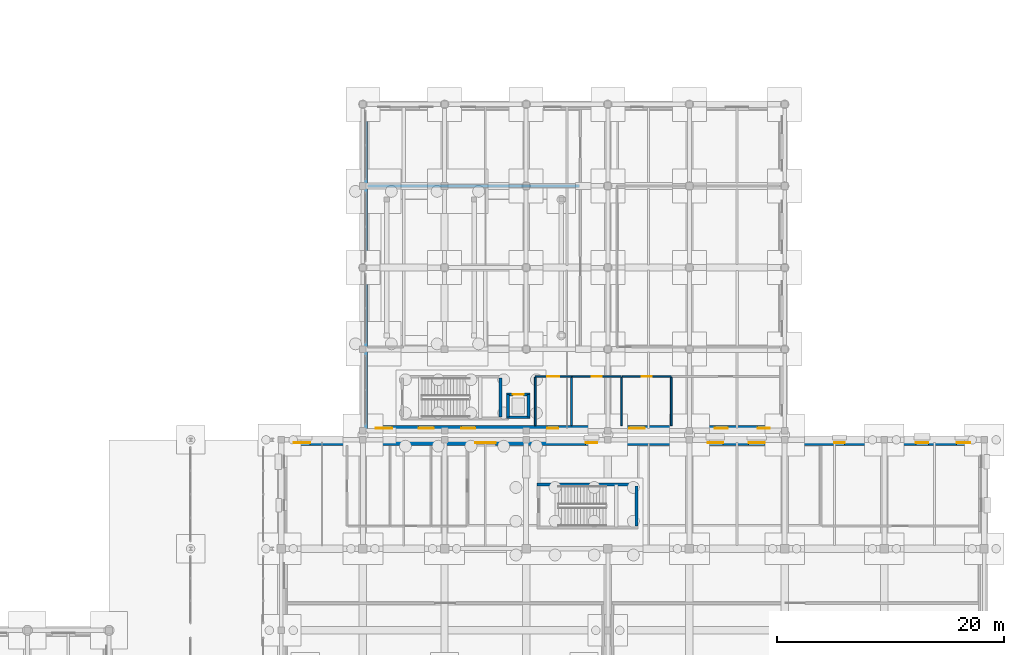
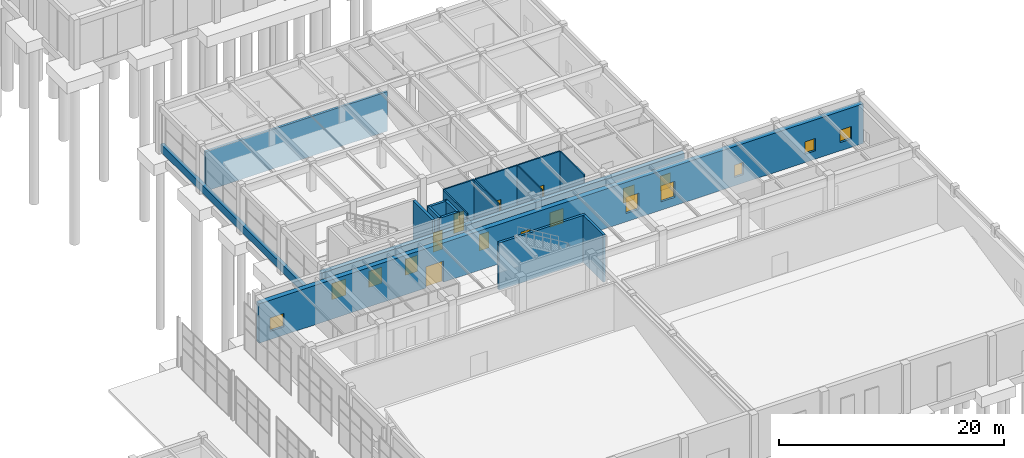
# One storey, part 75 of 91: 18 walls, 14 windows, 5 doors, 19 openings.
"""IFC4 building model written with IfcOpenShell, lengths in metres."""

from ifc_helpers import new_model, si_unit, direction, frame, frame_2d, origin, place, context, subcontext, project, spatial, rectangle, extrude, material, layer, layer_set, type_object, element, fill, save


model = new_model("IFC4")

# Units and contexts
model_context = context("Model", 3, precision=1e-05, world=origin(), true_north=direction((0.0, 1.0)))
body_context = subcontext(model_context, "Body", "Model", "MODEL_VIEW")
ifc_project = project(units=[si_unit("LENGTHUNIT", "METRE"), si_unit("AREAUNIT", "SQUARE_METRE"), si_unit("VOLUMEUNIT", "CUBIC_METRE"), si_unit("PLANEANGLEUNIT", "RADIAN"), si_unit("MASSUNIT", "GRAM", prefix="KILO")], contexts=[model_context])

# Site, building, storey
site_placement = place(None, origin())
site = spatial("IfcSite", under=ifc_project, at=site_placement, CompositionType="ELEMENT")
building_placement = place(site_placement, origin())
building = spatial("IfcBuilding", under=site, at=building_placement, Name="Bramveld Media Centre", CompositionType="ELEMENT")
storey_placement = place(building_placement, origin())
storey = spatial("IfcBuildingStorey", under=building, at=storey_placement, Name="L00", CompositionType="ELEMENT", Elevation=0.0)

# Walls
ifc_material_1 = material(Name="Concrete C40/50 stair & lift core wall", Category="concrete")
ifc_layer_1 = layer(ifc_material_1, 0.25)
ifc_layer_set_1 = layer_set([ifc_layer_1], Name="Concrete C40/50 stair & lift core wall")
wall_type_1 = type_object("IfcWallType", Name="CWALL-SHEAR-250", PredefinedType="SHEAR", material=ifc_layer_set_1)
wall_1_placement = place(storey_placement, frame((155.449951171875, 34.47509765625, 0.0), z_axis=(0.0, 0.0, 1.0), x_axis=(-1.0, 0.0, 0.0)))
element("IfcWall", 1, at=wall_1_placement, inside=storey, type_object=wall_type_1, Name="ST-03 L00 stair core shear wall N", PredefinedType="SHEAR", context=body_context, shape_type="SweptSolid", body=[
    extrude(rectangle(XDim=8.89990234375, YDim=0.25, at=frame_2d((4.449951171875, 0.0))), origin(), (0.0, 0.0, 1.0), 5.1201171875),
])
wall_2_placement = place(storey_placement, frame((155.324951171875, 30.800048828125, 0.0), z_axis=(0.0, 0.0, 1.0), x_axis=(0.0, 1.0, 0.0)))
element("IfcWall", 2, at=wall_2_placement, inside=storey, type_object=wall_type_1, Name="ST-03 L00 stair core shear wall E", PredefinedType="SHEAR", context=body_context, shape_type="SweptSolid", body=[
    extrude(rectangle(XDim=3.550048828125, YDim=0.25, at=frame_2d((1.77490234375, 0.0))), origin(), (0.0, 0.0, 1.0), 5.1201171875),
])
wall_3_placement = place(storey_placement, frame((143.324951171875, 40.39990234375, 0.0), z_axis=(0.0, 0.0, 1.0), x_axis=(0.0, 1.0, 0.0)))
element("IfcWall", 3, at=wall_3_placement, inside=storey, type_object=wall_type_1, Name="ST-08 L00 stair core shear wall E", PredefinedType="SHEAR", context=body_context, shape_type="SweptSolid", body=[
    extrude(rectangle(XDim=3.4501953125, YDim=0.25, at=frame_2d((1.72509765625, 0.0))), origin(), (0.0, 0.0, 1.0), 5.159912109375),
])
wall_4_placement = place(storey_placement, frame((143.875, 40.39990234375, 0.0), z_axis=(0.0, 0.0, 1.0), x_axis=(1.0, 0.0, 0.0)))
element("IfcWall", 4, at=wall_4_placement, inside=storey, type_object=wall_type_1, Name="PL-06 L00 lift shaft wall S", PredefinedType="SHEAR", context=body_context, shape_type="SweptSolid", body=[
    extrude(rectangle(XDim=2.050048828125, YDim=0.25, at=frame_2d((1.02490234375, 0.0))), origin(), (0.0, 0.0, 1.0), 5.159912109375),
])

# Wall, opening, door
wall_5_placement = place(storey_placement, frame((145.925048828125, 42.39990234375, 0.0), z_axis=(0.0, 0.0, 1.0), x_axis=(-1.0, 0.0, 0.0)))
wall_5 = element("IfcWall", 5, at=wall_5_placement, inside=storey, type_object=wall_type_1, Name="PL-06 L00 lift shaft wall N", PredefinedType="SHEAR", context=body_context, shape_type="SweptSolid", body=[
    extrude(rectangle(XDim=2.050048828125, YDim=0.25, at=frame_2d((1.02490234375, 0.0))), origin(), (0.0, 0.0, 1.0), 5.159912109375),
])
opening_1_placement = place(wall_5_placement, frame((0.550048828125, 0.0, 0.0)))
opening_1 = element("IfcOpeningElement", 6, at=opening_1_placement, cuts=wall_5, Name="Opening LD-03-06-L00", PredefinedType="OPENING", context=body_context, shape_type="SweptSolid", body=[
    extrude(rectangle(XDim=0.949951171875, YDim=2.10009765625, at=frame_2d((0.47509765625, 1.050048828125))), frame((0.0, 0.136962890625, 0.0), z_axis=(0.0, -1.0, 0.0), x_axis=(1.0, 0.0, 0.0)), (0.0, 0.0, 1.0), 0.27392578125),
])
ifc_material_2 = material(Name="Brushed stainless steel automatic fire-rated sliding lift landing door", Category="steel")
door_type_1 = type_object("IfcDoorType", Name="LD-TYPE-03", OperationType="SLIDING_TO_LEFT", PredefinedType="DOOR", material=ifc_material_2)
door_1_placement = place(opening_1_placement, origin())
door_1 = element("IfcDoor", 7, at=door_1_placement, inside=storey, type_object=door_type_1, Name="PL-06 L00 sliding lift landing door", OperationType="SLIDING_TO_LEFT", OverallHeight=2.10009765625, OverallWidth=0.949951171875, PredefinedType="DOOR", context=body_context, shape_type="SweptSolid", body=[
    extrude(rectangle(XDim=0.949951171875, YDim=2.10009765625, at=frame_2d((0.47509765625, 1.050048828125))), frame((0.0, 0.02490234375, 0.0), z_axis=(0.0, -1.0, 0.0), x_axis=(1.0, 0.0, 0.0)), (0.0, 0.0, 1.0), 0.050048828125),
])
fill(opening_1, door_1)

# Walls
for number, where, z_axis, x_axis, name in (
    (8, (144.0, 42.39990234375, 0.0), (0.0, 0.0, 1.0), (0.0, -1.0, 0.0), "PL-06 L00 lift shaft wall W"),
    (9, (145.800048828125, 40.39990234375, 0.0), (0.0, 0.0, 1.0), (0.0, 1.0, 0.0), "PL-06 L00 lift shaft wall E"),
):
    element("IfcWall", number, at=place(storey_placement, frame(where, z_axis=z_axis, x_axis=x_axis)), inside=storey, type_object=wall_type_1, Name=name, PredefinedType="SHEAR", context=body_context, shape_type="SweptSolid", body=[
        extrude(rectangle(XDim=2.0, YDim=0.25, at=frame_2d((1.0, 0.0))), origin(), (0.0, 0.0, 1.0), 5.159912109375),
    ])

# Wall, openings, door, windows
ifc_material_3 = material(Name="Double-leaf Concrete C40/50 cinema acoustic shell wall with brick outer leaf", Category="masonry")
ifc_layer_2 = layer(ifc_material_3, 0.5)
ifc_layer_set_2 = layer_set([ifc_layer_2], Name="Double-leaf Concrete C40/50 cinema acoustic shell wall with brick outer leaf")
wall_type_2 = type_object("IfcWallType", Name="EW-ACOU-500", PredefinedType="SOLIDWALL", material=ifc_layer_set_2)
wall_6_placement = place(storey_placement, frame((124.0, 38.14990234375, 0.0), z_axis=(0.0, 0.0, 1.0), x_axis=(1.0, 0.0, 0.0)))
wall_6 = element("IfcWall", 10, at=wall_6_placement, inside=storey, type_object=wall_type_2, Name="V1 L00 N facing brick exterior wall", PredefinedType="SOLIDWALL", context=body_context, shape_type="SweptSolid", body=[
    extrude(rectangle(XDim=62.0, YDim=0.5, at=frame_2d((31.0, 0.0))), origin(), (0.0, 0.0, 1.0), 4.27490234375),
])
opening_2_placement = place(wall_6_placement, frame((17.10009765625, 0.0, 0.0)))
opening_2 = element("IfcOpeningElement", 11, at=opening_2_placement, cuts=wall_6, Name="Opening ED-17", PredefinedType="OPENING", context=body_context, shape_type="SweptSolid", body=[
    extrude(rectangle(XDim=1.800048828125, YDim=2.300048828125, at=frame_2d((0.89990234375, 1.14990234375))), frame((0.0, 0.261962890625, 0.0), z_axis=(0.0, -1.0, 0.0), x_axis=(1.0, 0.0, 0.0)), (0.0, 0.0, 1.0), 0.52392578125),
])
opening_3_placement = place(wall_6_placement, frame((1.098388671875, 0.0, 0.89990234375)))
opening_3 = element("IfcOpeningElement", 12, at=opening_3_placement, cuts=wall_6, Name="Opening W-12", PredefinedType="OPENING", context=body_context, shape_type="SweptSolid", body=[
    extrude(rectangle(XDim=1.449951171875, YDim=1.449951171875, at=frame_2d((0.72509765625, 0.72509765625))), frame((0.0, 0.261962890625, 0.0), z_axis=(0.0, -1.0, 0.0), x_axis=(1.0, 0.0, 0.0)), (0.0, 0.0, 1.0), 0.52392578125),
])
opening_4_placement = place(wall_6_placement, frame((26.852783203125, 0.0, 0.89990234375)))
opening_4 = element("IfcOpeningElement", 13, at=opening_4_placement, cuts=wall_6, Name="Opening W-19", PredefinedType="OPENING", context=body_context, shape_type="SweptSolid", body=[
    extrude(rectangle(XDim=1.0, YDim=1.75, at=frame_2d((0.5, 0.875))), frame((0.0, 0.261962890625, 0.0), z_axis=(0.0, -1.0, 0.0), x_axis=(1.0, 0.0, 0.0)), (0.0, 0.0, 1.0), 0.52392578125),
])
opening_5_placement = place(wall_6_placement, frame((37.6240234375, 0.0, 0.89990234375)))
opening_5 = element("IfcOpeningElement", 14, at=opening_5_placement, cuts=wall_6, Name="Opening W-22", PredefinedType="OPENING", context=body_context, shape_type="SweptSolid", body=[
    extrude(rectangle(XDim=1.340087890625, YDim=1.75, at=frame_2d((0.669921875, 0.875))), frame((0.0, 0.261962890625, 0.0), z_axis=(0.0, -1.0, 0.0), x_axis=(1.0, 0.0, 0.0)), (0.0, 0.0, 1.0), 0.52392578125),
])
opening_6_placement = place(wall_6_placement, frame((41.22119140625, 0.0, 0.89990234375)))
opening_6 = element("IfcOpeningElement", 15, at=opening_6_placement, cuts=wall_6, Name="Opening W-23", PredefinedType="OPENING", context=body_context, shape_type="SweptSolid", body=[
    extrude(rectangle(XDim=1.43994140625, YDim=1.75, at=frame_2d((0.719970703125, 0.875))), frame((0.0, 0.261962890625, 0.0), z_axis=(0.0, -1.0, 0.0), x_axis=(1.0, 0.0, 0.0)), (0.0, 0.0, 1.0), 0.52392578125),
])
opening_7_placement = place(wall_6_placement, frame((48.785400390625, 0.0, 0.89990234375)))
opening_7 = element("IfcOpeningElement", 16, at=opening_7_placement, cuts=wall_6, Name="Opening W-01", PredefinedType="OPENING", context=body_context, shape_type="SweptSolid", body=[
    extrude(rectangle(XDim=0.89990234375, YDim=1.35009765625, at=frame_2d((0.449951171875, 0.675048828125))), frame((0.0, 0.261962890625, 0.0), z_axis=(0.0, -1.0, 0.0), x_axis=(1.0, 0.0, 0.0)), (0.0, 0.0, 1.0), 0.52392578125),
])
opening_8_placement = place(wall_6_placement, frame((55.9794921875, 0.0, 0.89990234375)))
opening_8 = element("IfcOpeningElement", 17, at=opening_8_placement, cuts=wall_6, Name="Opening W-03", PredefinedType="OPENING", context=body_context, shape_type="SweptSolid", body=[
    extrude(rectangle(XDim=1.10009765625, YDim=1.35009765625, at=frame_2d((0.550048828125, 0.675048828125))), frame((0.0, 0.261962890625, 0.0), z_axis=(0.0, -1.0, 0.0), x_axis=(1.0, 0.0, 0.0)), (0.0, 0.0, 1.0), 0.52392578125),
])
opening_9_placement = place(wall_6_placement, frame((59.576416015625, 0.0, 0.89990234375)))
opening_9 = element("IfcOpeningElement", 18, at=opening_9_placement, cuts=wall_6, Name="Opening W-04", PredefinedType="OPENING", context=body_context, shape_type="SweptSolid", body=[
    extrude(rectangle(XDim=1.199951171875, YDim=1.35009765625, at=frame_2d((0.60009765625, 0.675048828125))), frame((0.0, 0.261962890625, 0.0), z_axis=(0.0, -1.0, 0.0), x_axis=(1.0, 0.0, 0.0)), (0.0, 0.0, 1.0), 0.52392578125),
])
ifc_material_4 = material(Name="Insulated powder-coated bronze aluminium & laminated safety glass door", Category="aluminium")
door_type_2 = type_object("IfcDoorType", Name="DR-EXT-1800", OperationType="NOTDEFINED", PredefinedType="DOOR", material=ifc_material_4)
door_2_placement = place(opening_2_placement, origin())
door_2 = element("IfcDoor", 19, at=door_2_placement, inside=storey, type_object=door_type_2, Name="Exterior door ED-17", OperationType="DOUBLE_DOOR_SINGLE_SWING", OverallHeight=2.300048828125, OverallWidth=1.800048828125, PredefinedType="DOOR", context=body_context, shape_type="SweptSolid", body=[
    extrude(rectangle(XDim=1.800048828125, YDim=2.300048828125, at=frame_2d((0.89990234375, 1.14990234375))), frame((0.0, 0.02490234375, 0.0), z_axis=(0.0, -1.0, 0.0), x_axis=(1.0, 0.0, 0.0)), (0.0, 0.0, 1.0), 0.050048828125),
])
fill(opening_2, door_2)
ifc_material_5 = material(Name="Thermally broken anodized bronze aluminium frame with triple acoustic glazing", Category="aluminium")
window_type_1 = type_object("IfcWindowType", Name="WIN-FAC-01", PartitioningType="SINGLE_PANEL", PredefinedType="WINDOW", material=ifc_material_5)
window_1_placement = place(opening_7_placement, origin())
window_1 = element("IfcWindow", 20, at=window_1_placement, inside=storey, type_object=window_type_1, Name="V1 L00 N acoustic facade window", OverallHeight=1.35009765625, OverallWidth=0.89990234375, PartitioningType="SINGLE_PANEL", PredefinedType="WINDOW", context=body_context, shape_type="SweptSolid", body=[
    extrude(rectangle(XDim=0.89990234375, YDim=1.35009765625, at=frame_2d((0.449951171875, 0.675048828125))), frame((0.0, 0.030029296875, 0.0), z_axis=(0.0, -1.0, 0.0), x_axis=(1.0, 0.0, 0.0)), (0.0, 0.0, 1.0), 0.06005859375),
])
fill(opening_7, window_1)
ifc_material_6 = material(Name="Thermally broken anodized bronze aluminium frame with triple acoustic glazing", Category="aluminium")
window_type_2 = type_object("IfcWindowType", Name="WIN-FAC-03", PartitioningType="SINGLE_PANEL", PredefinedType="WINDOW", material=ifc_material_6)
window_2_placement = place(opening_8_placement, origin())
window_2 = element("IfcWindow", 21, at=window_2_placement, inside=storey, type_object=window_type_2, Name="V1 L00 N acoustic facade window", OverallHeight=1.35009765625, OverallWidth=1.10009765625, PartitioningType="SINGLE_PANEL", PredefinedType="WINDOW", context=body_context, shape_type="SweptSolid", body=[
    extrude(rectangle(XDim=1.10009765625, YDim=1.35009765625, at=frame_2d((0.550048828125, 0.675048828125))), frame((0.0, 0.030029296875, 0.0), z_axis=(0.0, -1.0, 0.0), x_axis=(1.0, 0.0, 0.0)), (0.0, 0.0, 1.0), 0.06005859375),
])
fill(opening_8, window_2)
ifc_material_7 = material(Name="Thermally broken anodized bronze aluminium frame with triple acoustic glazing", Category="aluminium")
window_type_3 = type_object("IfcWindowType", Name="WIN-FAC-04", PartitioningType="SINGLE_PANEL", PredefinedType="WINDOW", material=ifc_material_7)
window_3_placement = place(opening_9_placement, origin())
window_3 = element("IfcWindow", 22, at=window_3_placement, inside=storey, type_object=window_type_3, Name="V1 L00 N acoustic facade window", OverallHeight=1.35009765625, OverallWidth=1.199951171875, PartitioningType="SINGLE_PANEL", PredefinedType="WINDOW", context=body_context, shape_type="SweptSolid", body=[
    extrude(rectangle(XDim=1.199951171875, YDim=1.35009765625, at=frame_2d((0.60009765625, 0.675048828125))), frame((0.0, 0.030029296875, 0.0), z_axis=(0.0, -1.0, 0.0), x_axis=(1.0, 0.0, 0.0)), (0.0, 0.0, 1.0), 0.06005859375),
])
fill(opening_9, window_3)
ifc_material_8 = material(Name="Thermally broken anodized bronze aluminium frame with triple acoustic glazing", Category="aluminium")
window_type_4 = type_object("IfcWindowType", Name="WIN-FAC-12", PartitioningType="SINGLE_PANEL", PredefinedType="WINDOW", material=ifc_material_8)
window_4_placement = place(opening_3_placement, origin())
window_4 = element("IfcWindow", 23, at=window_4_placement, inside=storey, type_object=window_type_4, Name="V1 L00 N acoustic facade window", OverallHeight=1.449951171875, OverallWidth=1.449951171875, PartitioningType="SINGLE_PANEL", PredefinedType="WINDOW", context=body_context, shape_type="SweptSolid", body=[
    extrude(rectangle(XDim=1.449951171875, YDim=1.449951171875, at=frame_2d((0.72509765625, 0.72509765625))), frame((0.0, 0.030029296875, 0.0), z_axis=(0.0, -1.0, 0.0), x_axis=(1.0, 0.0, 0.0)), (0.0, 0.0, 1.0), 0.06005859375),
])
fill(opening_3, window_4)
ifc_material_9 = material(Name="Thermally broken anodized bronze aluminium frame with triple acoustic glazing", Category="aluminium")
window_type_5 = type_object("IfcWindowType", Name="WIN-FAC-19", PartitioningType="SINGLE_PANEL", PredefinedType="WINDOW", material=ifc_material_9)
window_5_placement = place(opening_4_placement, origin())
window_5 = element("IfcWindow", 24, at=window_5_placement, inside=storey, type_object=window_type_5, Name="V1 L00 N acoustic facade window", OverallHeight=1.75, OverallWidth=1.0, PartitioningType="SINGLE_PANEL", PredefinedType="WINDOW", context=body_context, shape_type="SweptSolid", body=[
    extrude(rectangle(XDim=1.0, YDim=1.75, at=frame_2d((0.5, 0.875))), frame((0.0, 0.030029296875, 0.0), z_axis=(0.0, -1.0, 0.0), x_axis=(1.0, 0.0, 0.0)), (0.0, 0.0, 1.0), 0.06005859375),
])
fill(opening_4, window_5)
ifc_material_10 = material(Name="Thermally broken anodized bronze aluminium frame with triple acoustic glazing", Category="aluminium")
window_type_6 = type_object("IfcWindowType", Name="WIN-FAC-22", PartitioningType="SINGLE_PANEL", PredefinedType="WINDOW", material=ifc_material_10)
window_6_placement = place(opening_5_placement, origin())
window_6 = element("IfcWindow", 25, at=window_6_placement, inside=storey, type_object=window_type_6, Name="V1 L00 N acoustic facade window", OverallHeight=1.75, OverallWidth=1.340087890625, PartitioningType="SINGLE_PANEL", PredefinedType="WINDOW", context=body_context, shape_type="SweptSolid", body=[
    extrude(rectangle(XDim=1.340087890625, YDim=1.75, at=frame_2d((0.669921875, 0.875))), frame((0.0, 0.030029296875, 0.0), z_axis=(0.0, -1.0, 0.0), x_axis=(1.0, 0.0, 0.0)), (0.0, 0.0, 1.0), 0.06005859375),
])
fill(opening_5, window_6)
ifc_material_11 = material(Name="Thermally broken anodized bronze aluminium frame with triple acoustic glazing", Category="aluminium")
window_type_7 = type_object("IfcWindowType", Name="WIN-FAC-23", PartitioningType="SINGLE_PANEL", PredefinedType="WINDOW", material=ifc_material_11)
window_7_placement = place(opening_6_placement, origin())
window_7 = element("IfcWindow", 26, at=window_7_placement, inside=storey, type_object=window_type_7, Name="V1 L00 N acoustic facade window", OverallHeight=1.75, OverallWidth=1.43994140625, PartitioningType="SINGLE_PANEL", PredefinedType="WINDOW", context=body_context, shape_type="SweptSolid", body=[
    extrude(rectangle(XDim=1.43994140625, YDim=1.75, at=frame_2d((0.719970703125, 0.875))), frame((0.0, 0.030029296875, 0.0), z_axis=(0.0, -1.0, 0.0), x_axis=(1.0, 0.0, 0.0)), (0.0, 0.0, 1.0), 0.06005859375),
])
fill(opening_6, window_7)

# Wall
ifc_material_12 = material(Name="Perforated acoustic brick-faced insulated spandrel wall", Category="masonry")
ifc_layer_3 = layer(ifc_material_12, 0.35009765625)
ifc_layer_set_3 = layer_set([ifc_layer_3], Name="Perforated acoustic brick-faced insulated spandrel wall")
wall_type_3 = type_object("IfcWallType", Name="EW-BRK-350", PredefinedType="SOLIDWALL", material=ifc_layer_set_3)
wall_7_placement = place(storey_placement, frame((131.429931640625, 39.199951171875, 0.0), z_axis=(0.0, 0.0, 1.0), x_axis=(0.0, 1.0, 0.0)))
element("IfcWall", 27, at=wall_7_placement, inside=storey, type_object=wall_type_3, Name="V4 L00 W masonry spandrel sill wall", PredefinedType="SOLIDWALL", context=body_context, shape_type="SweptSolid", body=[
    extrude(rectangle(XDim=28.800048828125, YDim=0.35009765625, at=frame_2d((14.39990234375, 0.0))), origin(), (0.0, 0.0, 1.0), 0.85009765625),
])

# Wall, openings, windows
ifc_material_13 = material(Name="Flemish red-brown clay facing brick cavity wall with concrete C35/45 inner leaf", Category="masonry")
ifc_layer_4 = layer(ifc_material_13, 0.4599609375)
ifc_layer_set_4 = layer_set([ifc_layer_4], Name="Flemish red-brown clay facing brick cavity wall with concrete C35/45 inner leaf")
wall_type_4 = type_object("IfcWallType", Name="EW-BRK-460", PredefinedType="SOLIDWALL", material=ifc_layer_set_4)
wall_8_placement = place(storey_placement, frame((168.39990234375, 39.429931640625, 0.0), z_axis=(0.0, 0.0, 1.0), x_axis=(-1.0, 0.0, 0.0)))
wall_8 = element("IfcWall", 28, at=wall_8_placement, inside=storey, type_object=wall_type_4, Name="V4 L00 S facing brick exterior wall", PredefinedType="SOLIDWALL", context=body_context, shape_type="SweptSolid", body=[
    extrude(rectangle(XDim=37.199951171875, YDim=0.4599609375, at=frame_2d((18.60009765625, 0.0))), origin(), (0.0, 0.0, 1.0), 4.31494140625),
])
opening_10_placement = place(wall_8_placement, frame((1.3349609375, 0.0, 0.89990234375)))
opening_10 = element("IfcOpeningElement", 29, at=opening_10_placement, cuts=wall_8, Name="Opening W-14", PredefinedType="OPENING", context=body_context, shape_type="SweptSolid", body=[
    extrude(rectangle(XDim=1.050048828125, YDim=1.60009765625, at=frame_2d((0.52490234375, 0.800048828125))), frame((0.0, 0.241943359375, 0.0), z_axis=(0.0, -1.0, 0.0), x_axis=(1.0, 0.0, 0.0)), (0.0, 0.0, 1.0), 0.48388671875),
])
opening_11_placement = place(wall_8_placement, frame((5.0048828125, 0.0, 0.89990234375)))
opening_11 = element("IfcOpeningElement", 30, at=opening_11_placement, cuts=wall_8, Name="Opening W-15", PredefinedType="OPENING", context=body_context, shape_type="SweptSolid", body=[
    extrude(rectangle(XDim=1.14990234375, YDim=1.60009765625, at=frame_2d((0.574951171875, 0.800048828125))), frame((0.0, 0.241943359375, 0.0), z_axis=(0.0, -1.0, 0.0), x_axis=(1.0, 0.0, 0.0)), (0.0, 0.0, 1.0), 0.48388671875),
])
opening_12_placement = place(wall_8_placement, frame((12.330078125, 0.0, 0.89990234375)))
opening_12 = element("IfcOpeningElement", 31, at=opening_12_placement, cuts=wall_8, Name="Opening W-17", PredefinedType="OPENING", context=body_context, shape_type="SweptSolid", body=[
    extrude(rectangle(XDim=1.3798828125, YDim=1.60009765625, at=frame_2d((0.68994140625, 0.800048828125))), frame((0.0, 0.241943359375, 0.0), z_axis=(0.0, -1.0, 0.0), x_axis=(1.0, 0.0, 0.0)), (0.0, 0.0, 1.0), 0.48388671875),
])
opening_13_placement = place(wall_8_placement, frame((19.9599609375, 0.0, 0.89990234375)))
opening_13 = element("IfcOpeningElement", 32, at=opening_13_placement, cuts=wall_8, Name="Opening W-19", PredefinedType="OPENING", context=body_context, shape_type="SweptSolid", body=[
    extrude(rectangle(XDim=1.0, YDim=1.75, at=frame_2d((0.5, 0.875))), frame((0.0, 0.241943359375, 0.0), z_axis=(0.0, -1.0, 0.0), x_axis=(1.0, 0.0, 0.0)), (0.0, 0.0, 1.0), 0.48388671875),
])
opening_14_placement = place(wall_8_placement, frame((27.280029296875, 0.0, 0.89990234375)))
opening_14 = element("IfcOpeningElement", 33, at=opening_14_placement, cuts=wall_8, Name="Opening W-21", PredefinedType="OPENING", context=body_context, shape_type="SweptSolid", body=[
    extrude(rectangle(XDim=1.239990234375, YDim=1.75, at=frame_2d((0.6201171875, 0.875))), frame((0.0, 0.241943359375, 0.0), z_axis=(0.0, -1.0, 0.0), x_axis=(1.0, 0.0, 0.0)), (0.0, 0.0, 1.0), 0.48388671875),
])
opening_15_placement = place(wall_8_placement, frame((30.949951171875, 0.0, 0.89990234375)))
opening_15 = element("IfcOpeningElement", 34, at=opening_15_placement, cuts=wall_8, Name="Opening W-22", PredefinedType="OPENING", context=body_context, shape_type="SweptSolid", body=[
    extrude(rectangle(XDim=1.340087890625, YDim=1.75, at=frame_2d((0.669921875, 0.875))), frame((0.0, 0.241943359375, 0.0), z_axis=(0.0, -1.0, 0.0), x_axis=(1.0, 0.0, 0.0)), (0.0, 0.0, 1.0), 0.48388671875),
])
opening_16_placement = place(wall_8_placement, frame((34.6201171875, 0.0, 0.89990234375)))
opening_16 = element("IfcOpeningElement", 35, at=opening_16_placement, cuts=wall_8, Name="Opening W-23", PredefinedType="OPENING", context=body_context, shape_type="SweptSolid", body=[
    extrude(rectangle(XDim=1.43994140625, YDim=1.75, at=frame_2d((0.719970703125, 0.875))), frame((0.0, 0.241943359375, 0.0), z_axis=(0.0, -1.0, 0.0), x_axis=(1.0, 0.0, 0.0)), (0.0, 0.0, 1.0), 0.48388671875),
])
ifc_material_14 = material(Name="Thermally broken anodized bronze aluminium frame with triple acoustic glazing", Category="aluminium")
window_type_8 = type_object("IfcWindowType", Name="WIN-FAC-14", PartitioningType="SINGLE_PANEL", PredefinedType="WINDOW", material=ifc_material_14)
window_8_placement = place(opening_10_placement, origin())
window_8 = element("IfcWindow", 36, at=window_8_placement, inside=storey, type_object=window_type_8, Name="V4 L00 S acoustic facade window", OverallHeight=1.60009765625, OverallWidth=1.050048828125, PartitioningType="SINGLE_PANEL", PredefinedType="WINDOW", context=body_context, shape_type="SweptSolid", body=[
    extrude(rectangle(XDim=1.050048828125, YDim=1.60009765625, at=frame_2d((0.52490234375, 0.800048828125))), frame((0.0, 0.030029296875, 0.0), z_axis=(0.0, -1.0, 0.0), x_axis=(1.0, 0.0, 0.0)), (0.0, 0.0, 1.0), 0.06005859375),
])
fill(opening_10, window_8)
ifc_material_15 = material(Name="Thermally broken anodized bronze aluminium frame with triple acoustic glazing", Category="aluminium")
window_type_9 = type_object("IfcWindowType", Name="WIN-FAC-15", PartitioningType="SINGLE_PANEL", PredefinedType="WINDOW", material=ifc_material_15)
window_9_placement = place(opening_11_placement, origin())
window_9 = element("IfcWindow", 37, at=window_9_placement, inside=storey, type_object=window_type_9, Name="V4 L00 S acoustic facade window", OverallHeight=1.60009765625, OverallWidth=1.14990234375, PartitioningType="SINGLE_PANEL", PredefinedType="WINDOW", context=body_context, shape_type="SweptSolid", body=[
    extrude(rectangle(XDim=1.14990234375, YDim=1.60009765625, at=frame_2d((0.574951171875, 0.800048828125))), frame((0.0, 0.030029296875, 0.0), z_axis=(0.0, -1.0, 0.0), x_axis=(1.0, 0.0, 0.0)), (0.0, 0.0, 1.0), 0.06005859375),
])
fill(opening_11, window_9)
ifc_material_16 = material(Name="Thermally broken anodized bronze aluminium frame with triple acoustic glazing", Category="aluminium")
window_type_10 = type_object("IfcWindowType", Name="WIN-FAC-17", PartitioningType="SINGLE_PANEL", PredefinedType="WINDOW", material=ifc_material_16)
window_10_placement = place(opening_12_placement, origin())
window_10 = element("IfcWindow", 38, at=window_10_placement, inside=storey, type_object=window_type_10, Name="V4 L00 S acoustic facade window", OverallHeight=1.60009765625, OverallWidth=1.3798828125, PartitioningType="SINGLE_PANEL", PredefinedType="WINDOW", context=body_context, shape_type="SweptSolid", body=[
    extrude(rectangle(XDim=1.3798828125, YDim=1.60009765625, at=frame_2d((0.68994140625, 0.800048828125))), frame((0.0, 0.030029296875, 0.0), z_axis=(0.0, -1.0, 0.0), x_axis=(1.0, 0.0, 0.0)), (0.0, 0.0, 1.0), 0.06005859375),
])
fill(opening_12, window_10)
window_11_placement = place(opening_13_placement, origin())
window_11 = element("IfcWindow", 39, at=window_11_placement, inside=storey, type_object=window_type_5, Name="V4 L00 S acoustic facade window", OverallHeight=1.75, OverallWidth=1.0, PartitioningType="SINGLE_PANEL", PredefinedType="WINDOW", context=body_context, shape_type="SweptSolid", body=[
    extrude(rectangle(XDim=1.0, YDim=1.75, at=frame_2d((0.5, 0.875))), frame((0.0, 0.030029296875, 0.0), z_axis=(0.0, -1.0, 0.0), x_axis=(1.0, 0.0, 0.0)), (0.0, 0.0, 1.0), 0.06005859375),
])
fill(opening_13, window_11)
ifc_material_17 = material(Name="Thermally broken anodized bronze aluminium frame with triple acoustic glazing", Category="aluminium")
window_type_11 = type_object("IfcWindowType", Name="WIN-FAC-21", PartitioningType="SINGLE_PANEL", PredefinedType="WINDOW", material=ifc_material_17)
window_12_placement = place(opening_14_placement, origin())
window_12 = element("IfcWindow", 40, at=window_12_placement, inside=storey, type_object=window_type_11, Name="V4 L00 S acoustic facade window", OverallHeight=1.75, OverallWidth=1.239990234375, PartitioningType="SINGLE_PANEL", PredefinedType="WINDOW", context=body_context, shape_type="SweptSolid", body=[
    extrude(rectangle(XDim=1.239990234375, YDim=1.75, at=frame_2d((0.6201171875, 0.875))), frame((0.0, 0.030029296875, 0.0), z_axis=(0.0, -1.0, 0.0), x_axis=(1.0, 0.0, 0.0)), (0.0, 0.0, 1.0), 0.06005859375),
])
fill(opening_14, window_12)
window_13_placement = place(opening_15_placement, origin())
window_13 = element("IfcWindow", 41, at=window_13_placement, inside=storey, type_object=window_type_6, Name="V4 L00 S acoustic facade window", OverallHeight=1.75, OverallWidth=1.340087890625, PartitioningType="SINGLE_PANEL", PredefinedType="WINDOW", context=body_context, shape_type="SweptSolid", body=[
    extrude(rectangle(XDim=1.340087890625, YDim=1.75, at=frame_2d((0.669921875, 0.875))), frame((0.0, 0.030029296875, 0.0), z_axis=(0.0, -1.0, 0.0), x_axis=(1.0, 0.0, 0.0)), (0.0, 0.0, 1.0), 0.06005859375),
])
fill(opening_15, window_13)
window_14_placement = place(opening_16_placement, origin())
window_14 = element("IfcWindow", 42, at=window_14_placement, inside=storey, type_object=window_type_7, Name="V4 L00 S acoustic facade window", OverallHeight=1.75, OverallWidth=1.43994140625, PartitioningType="SINGLE_PANEL", PredefinedType="WINDOW", context=body_context, shape_type="SweptSolid", body=[
    extrude(rectangle(XDim=1.43994140625, YDim=1.75, at=frame_2d((0.719970703125, 0.875))), frame((0.0, 0.030029296875, 0.0), z_axis=(0.0, -1.0, 0.0), x_axis=(1.0, 0.0, 0.0)), (0.0, 0.0, 1.0), 0.06005859375),
])
fill(opening_16, window_14)

# Wall
ifc_material_18 = material(Name="Double-stud acoustic gypsum & mineral-wool studio wall", Category="gypsum")
ifc_layer_5 = layer(ifc_material_18, 0.239990234375)
ifc_layer_set_5 = layer_set([ifc_layer_5], Name="Double-stud acoustic gypsum & mineral-wool studio wall")
wall_type_5 = type_object("IfcWallType", Name="IW-ACOU-240", PredefinedType="PARTITIONING", material=ifc_layer_set_5)
wall_9_placement = place(storey_placement, frame((131.614990234375, 60.800048828125, 0.0), z_axis=(0.0, 0.0, 1.0), x_axis=(1.0, 0.0, 0.0)))
element("IfcWall", 43, at=wall_9_placement, inside=storey, type_object=wall_type_5, Name="Screen 7 Restoration Screening Cinema partition wall", PredefinedType="PARTITIONING", context=body_context, shape_type="SweptSolid", body=[
    extrude(rectangle(XDim=18.68505859375, YDim=0.239990234375, at=frame_2d((9.342529296875, 0.0))), origin(), (0.0, 0.0, 1.0), 4.284912109375),
])

# Wall, opening, door
ifc_material_19 = material(Name="Moisture-resistant cement-board sanitary partition", Category="gypsum")
ifc_layer_6 = layer(ifc_material_19, 0.139892578125)
ifc_layer_set_6 = layer_set([ifc_layer_6], Name="Moisture-resistant cement-board sanitary partition")
wall_type_6 = type_object("IfcWallType", Name="IW-WET-140", PredefinedType="PARTITIONING", material=ifc_layer_set_6)
wall_10_placement = place(storey_placement, frame((146.39990234375, 44.0, 0.0), z_axis=(0.0, 0.0, 1.0), x_axis=(1.0, 0.0, 0.0)))
wall_10 = element("IfcWall", 44, at=wall_10_placement, inside=storey, type_object=wall_type_6, Name="Accessible WC partition wall", PredefinedType="PARTITIONING", context=body_context, shape_type="SweptSolid", body=[
    extrude(rectangle(XDim=3.2001953125, YDim=0.139892578125, at=frame_2d((1.60009765625, 0.0))), origin(), (0.0, 0.0, 1.0), 5.159912109375),
])
opening_17_placement = place(wall_10_placement, frame((1.070068359375, 0.0, 0.0)))
opening_17 = element("IfcOpeningElement", 45, at=opening_17_placement, cuts=wall_10, Name="Opening D-00-027", PredefinedType="OPENING", context=body_context, shape_type="SweptSolid", body=[
    extrude(rectangle(XDim=1.06005859375, YDim=2.10009765625, at=frame_2d((0.530029296875, 1.050048828125))), frame((0.0, 0.08203125, 0.0), z_axis=(0.0, -1.0, 0.0), x_axis=(1.0, 0.0, 0.0)), (0.0, 0.0, 1.0), 0.163818359375),
])
ifc_material_20 = material(Name="Solid-core European oak acoustic timber leaf in steel frame", Category="steel")
door_type_3 = type_object("IfcDoorType", Name="DR-WC-PMR-1060", OperationType="NOTDEFINED", PredefinedType="DOOR", material=ifc_material_20)
door_3_placement = place(opening_17_placement, origin())
door_3 = element("IfcDoor", 46, at=door_3_placement, inside=storey, type_object=door_type_3, Name="Accessible WC entrance door", OperationType="SINGLE_SWING_RIGHT", OverallHeight=2.10009765625, OverallWidth=1.06005859375, PredefinedType="DOOR", context=body_context, shape_type="SweptSolid", body=[
    extrude(rectangle(XDim=1.06005859375, YDim=2.10009765625, at=frame_2d((0.530029296875, 1.050048828125))), frame((0.0, 0.02490234375, 0.0), z_axis=(0.0, -1.0, 0.0), x_axis=(1.0, 0.0, 0.0)), (0.0, 0.0, 1.0), 0.050048828125),
])
fill(opening_17, door_3)

# Walls
for number, where, z_axis, x_axis, name in (
    (47, (146.39990234375, 39.669921875, 0.0), (0.0, 0.0, 1.0), (0.0, 1.0, 0.0), "Accessible WC partition wall"),
    (48, (149.60009765625, 39.669921875, 0.0), (0.0, 0.0, 1.0), (0.0, 1.0, 0.0), "Accessible WC partition wall"),
):
    element("IfcWall", number, at=place(storey_placement, frame(where, z_axis=z_axis, x_axis=x_axis)), inside=storey, type_object=wall_type_6, Name=name, PredefinedType="PARTITIONING", context=body_context, shape_type="SweptSolid", body=[
        extrude(rectangle(XDim=4.25, YDim=0.139892578125, at=frame_2d((2.125, 0.0))), origin(), (0.0, 0.0, 1.0), 5.159912109375),
    ])

# Wall, opening, door
wall_11_placement = place(storey_placement, frame((149.679931640625, 44.0, 0.0), z_axis=(0.0, 0.0, 1.0), x_axis=(1.0, 0.0, 0.0)))
wall_11 = element("IfcWall", 49, at=wall_11_placement, inside=storey, type_object=wall_type_6, Name="Male WC partition wall", PredefinedType="PARTITIONING", context=body_context, shape_type="SweptSolid", body=[
    extrude(rectangle(XDim=4.320068359375, YDim=0.139892578125, at=frame_2d((2.16015625, 0.0))), origin(), (0.0, 0.0, 1.0), 5.159912109375),
])
opening_18_placement = place(wall_11_placement, frame((1.715087890625, 0.0, 0.0)))
opening_18 = element("IfcOpeningElement", 50, at=opening_18_placement, cuts=wall_11, Name="Opening D-00-028", PredefinedType="OPENING", context=body_context, shape_type="SweptSolid", body=[
    extrude(rectangle(XDim=0.889892578125, YDim=2.050048828125, at=frame_2d((0.44482421875, 1.02490234375))), frame((0.0, 0.08203125, 0.0), z_axis=(0.0, -1.0, 0.0), x_axis=(1.0, 0.0, 0.0)), (0.0, 0.0, 1.0), 0.163818359375),
])
ifc_material_21 = material(Name="Solid-core European oak acoustic timber leaf in steel frame", Category="steel")
door_type_4 = type_object("IfcDoorType", Name="DR-WC-0890", OperationType="NOTDEFINED", PredefinedType="DOOR", material=ifc_material_21)
door_4_placement = place(opening_18_placement, origin())
door_4 = element("IfcDoor", 51, at=door_4_placement, inside=storey, type_object=door_type_4, Name="Male WC entrance door", OperationType="SINGLE_SWING_LEFT", OverallHeight=2.050048828125, OverallWidth=0.889892578125, PredefinedType="DOOR", context=body_context, shape_type="SweptSolid", body=[
    extrude(rectangle(XDim=0.889892578125, YDim=2.050048828125, at=frame_2d((0.44482421875, 1.02490234375))), frame((0.0, 0.02490234375, 0.0), z_axis=(0.0, -1.0, 0.0), x_axis=(1.0, 0.0, 0.0)), (0.0, 0.0, 1.0), 0.050048828125),
])
fill(opening_18, door_4)

# Wall
wall_12_placement = place(storey_placement, frame((154.0, 39.669921875, 0.0), z_axis=(0.0, 0.0, 1.0), x_axis=(0.0, 1.0, 0.0)))
element("IfcWall", 52, at=wall_12_placement, inside=storey, type_object=wall_type_6, Name="Male WC partition wall", PredefinedType="PARTITIONING", context=body_context, shape_type="SweptSolid", body=[
    extrude(rectangle(XDim=4.25, YDim=0.139892578125, at=frame_2d((2.125, 0.0))), origin(), (0.0, 0.0, 1.0), 5.159912109375),
])

# Wall, opening, door
wall_13_placement = place(storey_placement, frame((154.080078125, 44.0, 0.0), z_axis=(0.0, 0.0, 1.0), x_axis=(1.0, 0.0, 0.0)))
wall_13 = element("IfcWall", 53, at=wall_13_placement, inside=storey, type_object=wall_type_6, Name="Female WC partition wall", PredefinedType="PARTITIONING", context=body_context, shape_type="SweptSolid", body=[
    extrude(rectangle(XDim=4.31982421875, YDim=0.139892578125, at=frame_2d((2.159912109375, 0.0))), origin(), (0.0, 0.0, 1.0), 5.159912109375),
])
opening_19_placement = place(wall_13_placement, frame((1.705078125, 0.0, 0.0)))
opening_19 = element("IfcOpeningElement", 54, at=opening_19_placement, cuts=wall_13, Name="Opening D-00-029", PredefinedType="OPENING", context=body_context, shape_type="SweptSolid", body=[
    extrude(rectangle(XDim=0.909912109375, YDim=2.06005859375, at=frame_2d((0.455078125, 1.030029296875))), frame((0.0, 0.08203125, 0.0), z_axis=(0.0, -1.0, 0.0), x_axis=(1.0, 0.0, 0.0)), (0.0, 0.0, 1.0), 0.163818359375),
])
ifc_material_22 = material(Name="Solid-core European oak acoustic timber leaf in steel frame", Category="steel")
door_type_5 = type_object("IfcDoorType", Name="DR-WC-0910", OperationType="NOTDEFINED", PredefinedType="DOOR", material=ifc_material_22)
door_5_placement = place(opening_19_placement, origin())
door_5 = element("IfcDoor", 55, at=door_5_placement, inside=storey, type_object=door_type_5, Name="Female WC entrance door", OperationType="SINGLE_SWING_RIGHT", OverallHeight=2.06005859375, OverallWidth=0.909912109375, PredefinedType="DOOR", context=body_context, shape_type="SweptSolid", body=[
    extrude(rectangle(XDim=0.909912109375, YDim=2.06005859375, at=frame_2d((0.455078125, 1.030029296875))), frame((0.0, 0.02490234375, 0.0), z_axis=(0.0, -1.0, 0.0), x_axis=(1.0, 0.0, 0.0)), (0.0, 0.0, 1.0), 0.050048828125),
])
fill(opening_19, door_5)

# Wall
wall_14_placement = place(storey_placement, frame((158.39990234375, 39.669921875, 0.0), z_axis=(0.0, 0.0, 1.0), x_axis=(0.0, 1.0, 0.0)))
element("IfcWall", 56, at=wall_14_placement, inside=storey, type_object=wall_type_6, Name="Female WC partition wall", PredefinedType="PARTITIONING", context=body_context, shape_type="SweptSolid", body=[
    extrude(rectangle(XDim=4.25, YDim=0.139892578125, at=frame_2d((2.125, 0.0))), origin(), (0.0, 0.0, 1.0), 5.159912109375),
])

save(model, "model.ifc")
